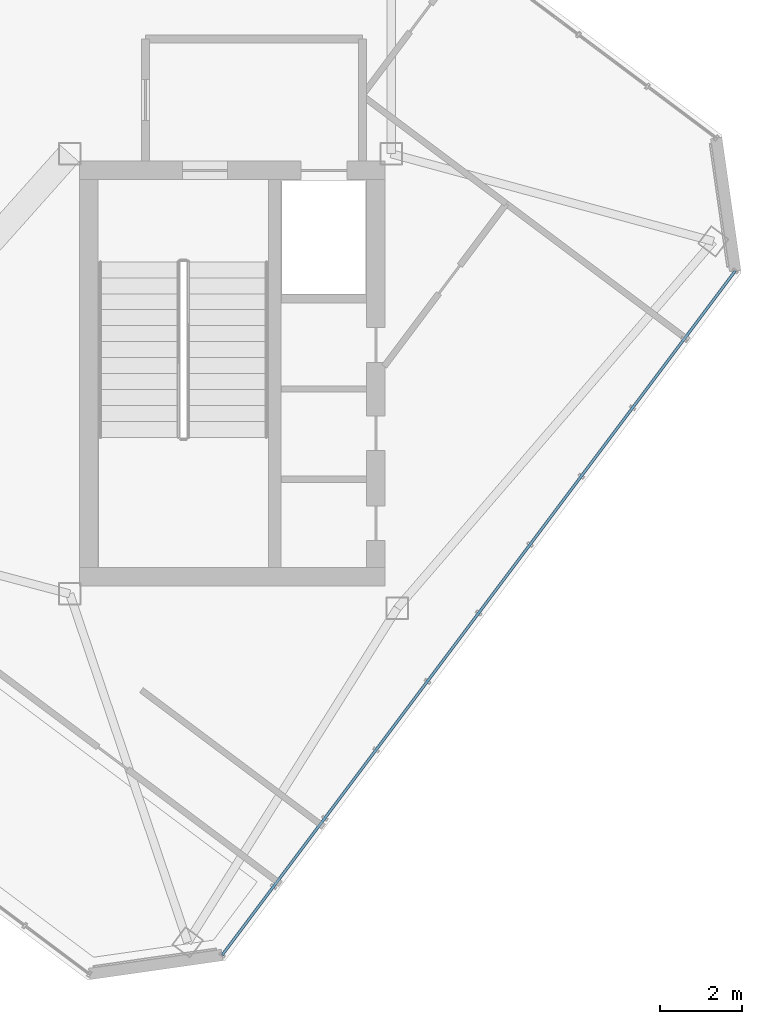
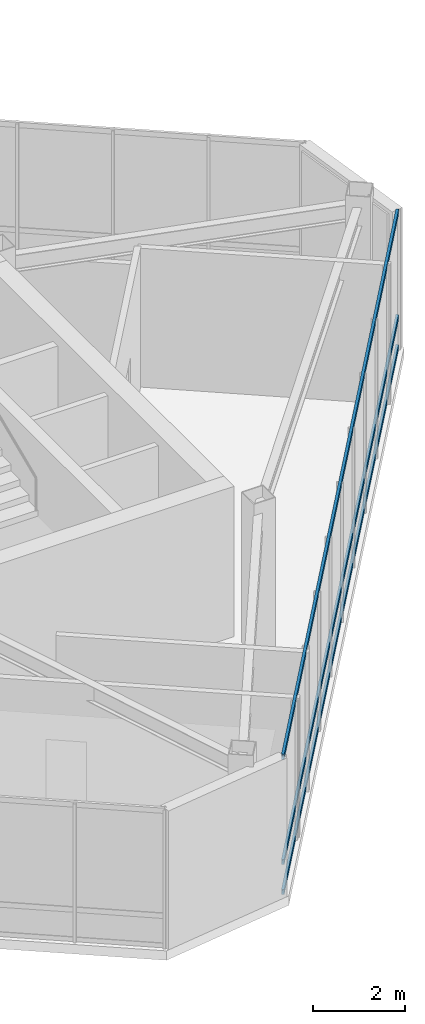
# One storey, part 6 of 24: 3 members, 1 element without a shape of its own.
"""IFC4 building model written with IfcOpenShell, lengths in metres."""

from ifc_helpers import new_model, si_unit, direction, frame, origin, origin_2d, place, context, subcontext, project, spatial, hollow_rectangle, extrude, material, layer, layer_set, material_profile, profile_set, type_object, element, aggregate, save


model = new_model("IFC4")

# Units and contexts
model_context = context("Model", 3, precision=1e-05, world=origin(), true_north=direction((0.0, 1.0)))
body_context = subcontext(model_context, "Body", "Model", "MODEL_VIEW")
ifc_project = project(units=[si_unit("LENGTHUNIT", "METRE"), si_unit("AREAUNIT", "SQUARE_METRE"), si_unit("VOLUMEUNIT", "CUBIC_METRE"), si_unit("PLANEANGLEUNIT", "RADIAN"), si_unit("MASSUNIT", "GRAM", prefix="KILO")], contexts=[model_context])

# Site, building, storey
site_placement = place(None, origin())
site = spatial("IfcSite", under=ifc_project, at=site_placement, CompositionType="ELEMENT")
building_placement = place(site_placement, origin())
building = spatial("IfcBuilding", under=site, at=building_placement, Name="Hatsunagi Terrace Concourse", CompositionType="ELEMENT")
storey_placement = place(building_placement, frame((0.0, 0.0, 285.949951171875)))
storey = spatial("IfcBuildingStorey", under=building, at=storey_placement, Name="L75", CompositionType="ELEMENT", Elevation=285.949951171875)

# Curtain wall, members
ifc_material_1 = material(Name="Anodised Aluminium Alloy 6063-T5", Category="aluminium")
ifc_layer = layer(ifc_material_1, 0.199951171875)
ifc_layer_set = layer_set([ifc_layer], Name="CrownWintergarden_CW06")
curtain_wall_type = type_object("IfcCurtainWallType", Name="CrownWintergarden_CW06", PredefinedType="NOTDEFINED", material=ifc_layer_set)
curtain_wall_placement = place(storey_placement, origin())
curtain_wall = element("IfcCurtainWall", 1, at=curtain_wall_placement, inside=storey, type_object=curtain_wall_type, Name="Unitised Curtain Wall CW-06 CW-L75-03", PredefinedType="NOTDEFINED")
ifc_material_2 = material(Name="Anodised Aluminium Alloy 6063-T5", Category="aluminium")
ifc_material_profile = material_profile(ifc_material_2, hollow_rectangle(XDim=0.06494140625, YDim=0.139892578125, WallThickness=0.00390625, at=origin_2d()), Name="ALU-TRN-140x65x4")
ifc_profile_set = profile_set([ifc_material_profile], Name="Anodised Aluminium Alloy 6063-T5")
member_type = type_object("IfcMemberType", Name="CurtainWallTransom_140x65", PredefinedType="USERDEFINED", material=ifc_profile_set)
member_1_placement = place(storey_placement, frame((52.052978515625, 32.43798828125, 0.050048828125), z_axis=(-0.599970072971, -0.800022444397, 0.0), x_axis=(0.800022444397, -0.599970072971, 0.0)))
member_1 = element("IfcMember", 2, at=member_1_placement, type_object=member_type, Name="Curtain Wall Transom TRN-02", ObjectType="TRANSOM", PredefinedType="USERDEFINED", context=body_context, shape_type="SweptSolid", body=[
    extrude(hollow_rectangle(XDim=0.06494140625, YDim=0.139892578125, WallThickness=0.00390625, at=origin_2d()), origin(), (0.0, 0.0, 1.0), 20.884521484375),
])
member_2_placement = place(storey_placement, frame((52.052978515625, 32.43798828125, 0.85009765625), z_axis=(-0.599970072971, -0.800022444397, 0.0), x_axis=(0.800022444397, -0.599970072971, 0.0)))
member_2 = element("IfcMember", 3, at=member_2_placement, type_object=member_type, Name="Curtain Wall Transom TRN-02", ObjectType="TRANSOM", PredefinedType="USERDEFINED", context=body_context, shape_type="SweptSolid", body=[
    extrude(hollow_rectangle(XDim=0.06494140625, YDim=0.139892578125, WallThickness=0.00390625, at=origin_2d()), origin(), (0.0, 0.0, 1.0), 20.884521484375),
])
member_3_placement = place(storey_placement, frame((52.052978515625, 32.43798828125, 3.650146484375), z_axis=(-0.599970072971, -0.800022444397, 0.0), x_axis=(0.800022444397, -0.599970072971, 0.0)))
member_3 = element("IfcMember", 4, at=member_3_placement, type_object=member_type, Name="Curtain Wall Transom TRN-02", ObjectType="TRANSOM", PredefinedType="USERDEFINED", context=body_context, shape_type="SweptSolid", body=[
    extrude(hollow_rectangle(XDim=0.06494140625, YDim=0.139892578125, WallThickness=0.00390625, at=origin_2d()), origin(), (0.0, 0.0, 1.0), 20.884521484375),
])
aggregate(curtain_wall, [member_1, member_2, member_3])

save(model, "model.ifc")
